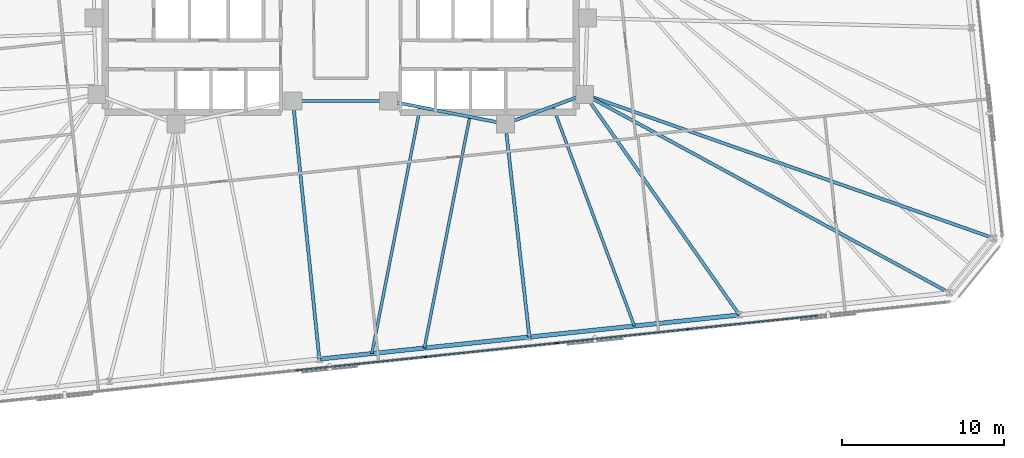
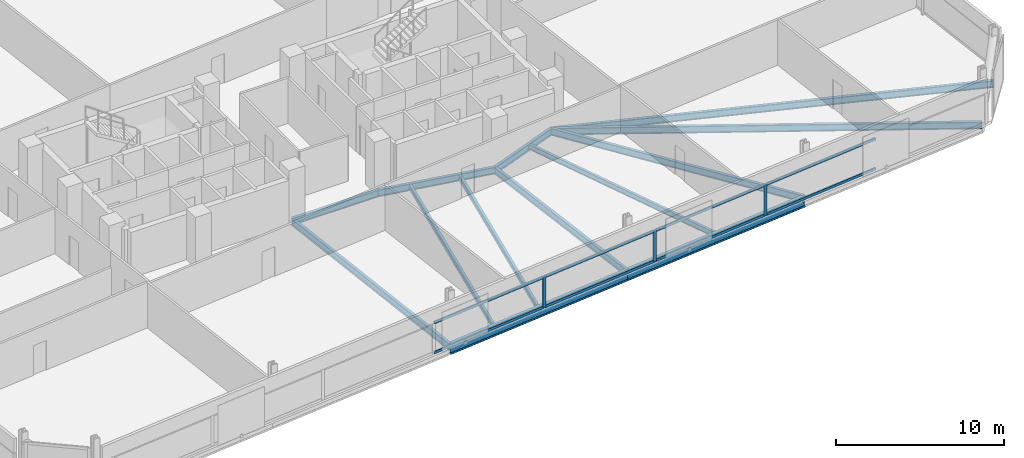
# One storey, part 7 of 18: 13 beams, 11 members, 1 element without a shape of its own.
"""IFC4 building model written with IfcOpenShell, lengths in metres."""

import ifcopenshell
import ifcopenshell.guid

model = None  # the IFC model being written
_history = None  # IfcOwnerHistory: only IFC2X3 demands one
_inside = {}  # id of a spatial element -> (the spatial element, [elements in it])
_under = {}  # id of a project, library or spatial element -> (it, [spatial elements below it])
_declared = {}  # id of a project -> (the project, [libraries it declares])
_typed = {}  # id of a type object -> (the type object, [elements of that type])
_made_of = {}  # id of a material, layer set ... -> (it, [elements and type objects made of it])


def new_model(schema):
    """Start an empty IFC model of exactly this schema.

    Asked for "IFC4X3", IfcOpenShell would pick the latest addendum, in which some entities
    have other attributes; the version numbers below select the first issue.
    IFC2X3 requires an IfcOwnerHistory on every rooted entity: one is made here for all.
    """
    global model, _history
    if schema == "IFC4X3":
        model = ifcopenshell.file(schema_version=(4, 3, 0, 0))
    else:
        model = ifcopenshell.file(schema=schema)
    _inside.clear()
    _under.clear()
    _declared.clear()
    _typed.clear()
    _made_of.clear()
    _history = None
    if model.schema == "IFC2X3":
        org = make("IfcOrganization", Name="unknown")
        user = make(
            "IfcPersonAndOrganization",
            ThePerson=make("IfcPerson", FamilyName="unknown"),
            TheOrganization=org,
        )
        app = make(
            "IfcApplication",
            ApplicationDeveloper=org,
            Version="unknown",
            ApplicationFullName="unknown",
            ApplicationIdentifier="unknown",
        )
        _history = make(
            "IfcOwnerHistory",
            OwningUser=user,
            OwningApplication=app,
            ChangeAction="ADDED",
            CreationDate=0,
        )
    return model


def make(cls, **values):
    """One entity of the class cls with the attributes given. An attribute that is None is left unset."""
    return model.create_entity(
        cls, **{name: value for name, value in values.items() if value is not None}
    )


def rooted(cls, **values):
    """An entity with a GlobalId (a new one), such as an element, a storey or a relation."""
    return make(cls, GlobalId=ifcopenshell.guid.new(), OwnerHistory=_history, **values)


def si_unit(unit_type, name, prefix=None):
    """IfcSIUnit, for example si_unit("LENGTHUNIT", "METRE", prefix="MILLI")."""
    return make("IfcSIUnit", UnitType=unit_type, Prefix=prefix, Name=name)


def assignment(units):
    """IfcUnitAssignment: the units of a project."""
    return None if units is None else make("IfcUnitAssignment", Units=units)


def point(xyz):
    """IfcCartesianPoint."""
    return None if xyz is None else make("IfcCartesianPoint", Coordinates=xyz)


def direction(xyz):
    """IfcDirection."""
    return None if xyz is None else make("IfcDirection", DirectionRatios=xyz)


def frame(location, z_axis=None, x_axis=None):
    """IfcAxis2Placement3D, a coordinate frame: its origin and axes. An axis left out is left unset."""
    return make(
        "IfcAxis2Placement3D",
        Location=point(location),
        Axis=direction(z_axis),
        RefDirection=direction(x_axis),
    )


def frame_2d(location, x_axis=None):
    """IfcAxis2Placement2D, a coordinate frame in the plane: its origin and x axis."""
    return make(
        "IfcAxis2Placement2D", Location=point(location), RefDirection=direction(x_axis)
    )


def origin():
    """The frame at (0, 0, 0) with its axes left unset."""
    return frame((0.0, 0.0, 0.0))


def origin_2d():
    """The frame at (0, 0) in the plane with its x axis left unset."""
    return frame_2d((0.0, 0.0))


def place(relative_to, where):
    """IfcLocalPlacement: puts the frame where relative to a parent placement (None: the world)."""
    return make(
        "IfcLocalPlacement", PlacementRelTo=relative_to, RelativePlacement=where
    )


def context(
    kind, dimensions, precision=None, world=None, true_north=None, identifier=None
):
    """IfcGeometricRepresentationContext, for example the 3D "Model" context."""
    return make(
        "IfcGeometricRepresentationContext",
        ContextIdentifier=identifier,
        ContextType=kind,
        CoordinateSpaceDimension=dimensions,
        Precision=precision,
        WorldCoordinateSystem=world,
        TrueNorth=true_north,
    )


def subcontext(parent, identifier, kind, view, scale=None):
    """IfcGeometricRepresentationSubContext, for example "Body" below "Model"."""
    return make(
        "IfcGeometricRepresentationSubContext",
        ContextIdentifier=identifier,
        ContextType=kind,
        ParentContext=parent,
        TargetScale=scale,
        TargetView=view,
    )


def project(units=None, contexts=None):
    """IfcProject with its units and contexts."""
    return rooted(
        "IfcProject",
        Name="project",
        RepresentationContexts=contexts,
        UnitsInContext=assignment(units),
    )


def spatial(cls, under=None, at=None, **own):
    """A site, building, storey or space (cls), placed at a placement, below another one or the project."""
    s = rooted(cls, ObjectPlacement=at, **own)
    if under is not None:
        _under.setdefault(under.id(), (under, []))[1].append(s)
    return s


def profile(cls, at=None, kind="AREA", **sizes):
    """A parametric profile (cls). Its sizes go by their IFC names, for example OverallWidth=200.0."""
    return make(cls, ProfileType=kind, Position=at, **sizes)


def rectangle(**sizes):
    """IfcRectangleProfileDef."""
    return profile("IfcRectangleProfileDef", **sizes)


def i_section(**sizes):
    """IfcIShapeProfileDef."""
    return profile("IfcIShapeProfileDef", **sizes)


def extrude(swept, where, along, depth):
    """IfcExtrudedAreaSolid: the profile swept, set in the frame where, extruded along a direction by depth."""
    return make(
        "IfcExtrudedAreaSolid",
        SweptArea=swept,
        Position=where,
        ExtrudedDirection=direction(along),
        Depth=depth,
    )


def shape(context_of_items, identifier, shape_type, items):
    """IfcShapeRepresentation: the items that make up one representation, for example the "Body"."""
    return make(
        "IfcShapeRepresentation",
        ContextOfItems=context_of_items,
        RepresentationIdentifier=identifier,
        RepresentationType=shape_type,
        Items=items,
    )


def material(Name=None, Category=None):
    """IfcMaterial."""
    return make("IfcMaterial", Name=Name, Category=Category)


def material_profile(
    of_material, cross_section, Name=None, Category=None, Priority=None
):
    """IfcMaterialProfile: a cross section and its material."""
    return make(
        "IfcMaterialProfile",
        Name=Name,
        Material=of_material,
        Profile=cross_section,
        Priority=Priority,
        Category=Category,
    )


def profile_set(profiles, Name=None, composite=None):
    """IfcMaterialProfileSet."""
    return make(
        "IfcMaterialProfileSet",
        Name=Name,
        MaterialProfiles=profiles,
        CompositeProfile=composite,
    )


def made_of(thing, what):
    """Note that an element or type object is made of a material, layer set ...; save() writes the relation."""
    if what is not None:
        _made_of.setdefault(what.id(), (what, []))[1].append(thing)
    return thing


def type_object(cls, material=None, **own):
    """A type object (cls), such as IfcWallType, which elements share."""
    return made_of(rooted(cls, **own), material)


def element(
    cls,
    number,
    at=None,
    inside=None,
    cuts=None,
    type_object=None,
    material=None,
    context=None,
    identifier="Body",
    shape_type=None,
    held_by="IfcProductDefinitionShape",
    body=None,
    shapes=None,
    **own,
):
    """One element of the class cls, such as IfcWall. Its Tag is "e" and its number.

    at: its placement. inside: the storey or other place that contains it. cuts: it is an
    opening in that element (IfcRelVoidsElement). A single representation is given by context,
    identifier, shape_type and body (its items); several are given by shapes. held_by: the class
    of the entity that holds the representations. save() writes the other relations.
    """
    e = rooted(cls, Tag="e%d" % number, ObjectPlacement=at, **own)
    if body is not None:
        shapes = [shape(context, identifier, shape_type, body)]
    if shapes is not None:
        e.Representation = make(held_by, Representations=shapes)
    if inside is not None:
        _inside.setdefault(inside.id(), (inside, []))[1].append(e)
    if cuts is not None:
        rooted(
            "IfcRelVoidsElement", RelatingBuildingElement=cuts, RelatedOpeningElement=e
        )
    if type_object is not None:
        _typed.setdefault(type_object.id(), (type_object, []))[1].append(e)
    return made_of(e, material)


def aggregate(whole, parts):
    """IfcRelAggregates: a whole, such as a stair, and the parts it consists of."""
    return rooted("IfcRelAggregates", RelatingObject=whole, RelatedObjects=parts)


def save(model, path):
    """Write the relations noted so far, then the file.

    IfcRelAggregates (storeys below a building ...), IfcRelContainedInSpatialStructure (elements
    in a storey), IfcRelDefinesByType, IfcRelAssociatesMaterial and IfcRelDeclares: one each for
    every whole, place, type object, material and project.
    """
    for whole, parts in _under.values():
        aggregate(whole, parts)
    for where, things in _inside.values():
        rooted(
            "IfcRelContainedInSpatialStructure",
            RelatedElements=things,
            RelatingStructure=where,
        )
    for kind, things in _typed.values():
        rooted("IfcRelDefinesByType", RelatedObjects=things, RelatingType=kind)
    for what, things in _made_of.values():
        rooted("IfcRelAssociatesMaterial", RelatedObjects=things, RelatingMaterial=what)
    for by, libraries in _declared.values():
        rooted("IfcRelDeclares", RelatingContext=by, RelatedDefinitions=libraries)
    model.write(path)


model = new_model("IFC4")

# Units and contexts
model_context = context("Model", 3, precision=1e-05, world=origin(), true_north=direction((0.0, 1.0)))
body_context = subcontext(model_context, "Body", "Model", "MODEL_VIEW")
ifc_project = project(units=[si_unit("LENGTHUNIT", "METRE"), si_unit("AREAUNIT", "SQUARE_METRE"), si_unit("VOLUMEUNIT", "CUBIC_METRE"), si_unit("PLANEANGLEUNIT", "RADIAN"), si_unit("MASSUNIT", "GRAM", prefix="KILO")], contexts=[model_context])

# Site, building, storey
site_placement = place(None, origin())
site = spatial("IfcSite", under=ifc_project, at=site_placement, CompositionType="ELEMENT")
building_placement = place(site_placement, origin())
building = spatial("IfcBuilding", under=site, at=building_placement, Name="Menara Jurai Vektor", CompositionType="ELEMENT")
storey_placement = place(building_placement, frame((0.0, 0.0, 139.199951171875)))
storey = spatial("IfcBuildingStorey", under=building, at=storey_placement, Name="L35", CompositionType="ELEMENT", Elevation=139.199951171875)

# Curtain wall, members
ifc_material_1 = material(Name="Anodised Pale Aluminium & Low-E Double Glazing", Category="aluminium")
curtain_wall_type = type_object("IfcCurtainWallType", Name="CW-BLK2", PredefinedType="NOTDEFINED", material=ifc_material_1)
curtain_wall_placement = place(storey_placement, origin())
curtain_wall = element("IfcCurtainWall", 1, at=curtain_wall_placement, inside=storey, type_object=curtain_wall_type, Name="Unitised Curtain Wall L35 F01", PredefinedType="NOTDEFINED")
ifc_material_2 = material(Name="Anodised Pale Aluminium Mullion", Category="aluminium")
ifc_material_profile_1 = material_profile(ifc_material_2, rectangle(XDim=0.090087890625, YDim=0.219970703125, at=origin_2d()), Name="ALU MUL 90x220")
ifc_profile_set_1 = profile_set([ifc_material_profile_1], Name="Anodised Pale Aluminium Mullion")
member_type_1 = type_object("IfcMemberType", Name="CW-BLK2-MUL", PredefinedType="MULLION", material=ifc_profile_set_1)
member_1_placement = place(storey_placement, frame((5.230224609375, -20.72265625, 0.0), z_axis=(0.0, 0.0, 1.0), x_axis=(-0.104528634935, 0.994521877325, 0.0)))
member_1 = element("IfcMember", 2, at=member_1_placement, type_object=member_type_1, Name="CW-02 mullion 5", PredefinedType="MULLION", context=body_context, shape_type="SweptSolid", body=[
    extrude(rectangle(XDim=0.090087890625, YDim=0.219970703125, at=origin_2d()), origin(), (0.0, 0.0, 1.0), 2.259033203125),
])
member_2_placement = place(storey_placement, frame((13.328125, -19.87158203125, 0.0), z_axis=(0.0, 0.0, 1.0), x_axis=(-0.104528634935, 0.994521877325, 0.0)))
member_2 = element("IfcMember", 3, at=member_2_placement, type_object=member_type_1, Name="CW-02 mullion 6", PredefinedType="MULLION", context=body_context, shape_type="SweptSolid", body=[
    extrude(rectangle(XDim=0.090087890625, YDim=0.219970703125, at=origin_2d()), origin(), (0.0, 0.0, 1.0), 2.259033203125),
])
member_3_placement = place(storey_placement, frame((21.426025390625, -19.020263671875, 0.0), z_axis=(0.0, 0.0, 1.0), x_axis=(-0.104528634935, 0.994521877325, 0.0)))
member_3 = element("IfcMember", 4, at=member_3_placement, type_object=member_type_1, Name="CW-02 mullion 7", PredefinedType="MULLION", context=body_context, shape_type="SweptSolid", body=[
    extrude(rectangle(XDim=0.090087890625, YDim=0.219970703125, at=origin_2d()), origin(), (0.0, 0.0, 1.0), 2.259033203125),
])
ifc_material_3 = material(Name="Anodised Pale Aluminium Transom", Category="aluminium")
ifc_material_profile_2 = material_profile(ifc_material_3, rectangle(XDim=0.090087890625, YDim=0.18505859375, at=origin_2d()), Name="ALU TRN 90x185")
ifc_profile_set_2 = profile_set([ifc_material_profile_2], Name="Anodised Pale Aluminium Transom")
member_type_2 = type_object("IfcMemberType", Name="CW-BLK2-TRN", PredefinedType="USERDEFINED", material=ifc_profile_set_2)
member_4_placement = place(storey_placement, frame((-2.82275390625, -21.569091796875, 0.045166015625), z_axis=(0.994520726373, 0.10453958492, 0.0), x_axis=(-0.10453958492, 0.994520726373, 0.0)))
member_4 = element("IfcMember", 5, at=member_4_placement, type_object=member_type_2, Name="CW-02 transom 4.1", ObjectType="TRANSOM", PredefinedType="USERDEFINED", context=body_context, shape_type="SweptSolid", body=[
    extrude(rectangle(XDim=0.090087890625, YDim=0.18505859375, at=origin_2d()), origin(), (0.0, 0.0, 1.0), 8.052490234375),
])
member_5_placement = place(storey_placement, frame((-2.82275390625, -21.569091796875, 2.214111328125), z_axis=(0.994520726373, 0.10453958492, 0.0), x_axis=(-0.10453958492, 0.994520726373, 0.0)))
member_5 = element("IfcMember", 6, at=member_5_placement, type_object=member_type_2, Name="CW-02 transom 4.2", ObjectType="TRANSOM", PredefinedType="USERDEFINED", context=body_context, shape_type="SweptSolid", body=[
    extrude(rectangle(XDim=0.090087890625, YDim=0.18505859375, at=origin_2d()), origin(), (0.0, 0.0, 1.0), 8.052490234375),
])
member_6_placement = place(storey_placement, frame((5.275146484375, -20.718017578125, 0.045166015625), z_axis=(0.994520726373, 0.10453958492, 0.0), x_axis=(-0.10453958492, 0.994520726373, 0.0)))
member_6 = element("IfcMember", 7, at=member_6_placement, type_object=member_type_2, Name="CW-02 transom 5.1", ObjectType="TRANSOM", PredefinedType="USERDEFINED", context=body_context, shape_type="SweptSolid", body=[
    extrude(rectangle(XDim=0.090087890625, YDim=0.18505859375, at=origin_2d()), origin(), (0.0, 0.0, 1.0), 8.052490234375),
])
member_7_placement = place(storey_placement, frame((5.275146484375, -20.718017578125, 2.214111328125), z_axis=(0.994520726373, 0.10453958492, 0.0), x_axis=(-0.10453958492, 0.994520726373, 0.0)))
member_7 = element("IfcMember", 8, at=member_7_placement, type_object=member_type_2, Name="CW-02 transom 5.2", ObjectType="TRANSOM", PredefinedType="USERDEFINED", context=body_context, shape_type="SweptSolid", body=[
    extrude(rectangle(XDim=0.090087890625, YDim=0.18505859375, at=origin_2d()), origin(), (0.0, 0.0, 1.0), 8.052490234375),
])
member_8_placement = place(storey_placement, frame((13.373046875, -19.86669921875, 0.045166015625), z_axis=(0.99452387809, 0.104509597213, 0.0), x_axis=(-0.104509597213, 0.99452387809, 0.0)))
member_8 = element("IfcMember", 9, at=member_8_placement, type_object=member_type_2, Name="CW-02 transom 6.1", ObjectType="TRANSOM", PredefinedType="USERDEFINED", context=body_context, shape_type="SweptSolid", body=[
    extrude(rectangle(XDim=0.090087890625, YDim=0.18505859375, at=origin_2d()), origin(), (0.0, 0.0, 1.0), 8.052490234375),
])
member_9_placement = place(storey_placement, frame((13.373046875, -19.86669921875, 2.214111328125), z_axis=(0.99452387809, 0.104509597213, 0.0), x_axis=(-0.104509597213, 0.99452387809, 0.0)))
member_9 = element("IfcMember", 10, at=member_9_placement, type_object=member_type_2, Name="CW-02 transom 6.2", ObjectType="TRANSOM", PredefinedType="USERDEFINED", context=body_context, shape_type="SweptSolid", body=[
    extrude(rectangle(XDim=0.090087890625, YDim=0.18505859375, at=origin_2d()), origin(), (0.0, 0.0, 1.0), 8.052490234375),
])
member_10_placement = place(storey_placement, frame((21.470947265625, -19.015625, 0.045166015625), z_axis=(0.994520726373, 0.10453958492, 0.0), x_axis=(-0.10453958492, 0.994520726373, 0.0)))
member_10 = element("IfcMember", 11, at=member_10_placement, type_object=member_type_2, Name="CW-02 transom 7.1", ObjectType="TRANSOM", PredefinedType="USERDEFINED", context=body_context, shape_type="SweptSolid", body=[
    extrude(rectangle(XDim=0.090087890625, YDim=0.18505859375, at=origin_2d()), origin(), (0.0, 0.0, 1.0), 8.052490234375),
])
member_11_placement = place(storey_placement, frame((21.470947265625, -19.015625, 2.214111328125), z_axis=(0.994520726373, 0.10453958492, 0.0), x_axis=(-0.10453958492, 0.994520726373, 0.0)))
member_11 = element("IfcMember", 12, at=member_11_placement, type_object=member_type_2, Name="CW-02 transom 7.2", ObjectType="TRANSOM", PredefinedType="USERDEFINED", context=body_context, shape_type="SweptSolid", body=[
    extrude(rectangle(XDim=0.090087890625, YDim=0.18505859375, at=origin_2d()), origin(), (0.0, 0.0, 1.0), 8.052490234375),
])
aggregate(curtain_wall, [member_1, member_2, member_3, member_4, member_5, member_6, member_7, member_8, member_9, member_10, member_11])

# Beams
ifc_material_4 = material(Name="Steel S355", Category="steel")
ifc_material_profile_3 = material_profile(ifc_material_4, i_section(OverallWidth=0.199951171875, OverallDepth=0.5, WebThickness=0.011962890625, FlangeThickness=0.02001953125, at=origin_2d()), Name="PG 500x200x96")
ifc_profile_set_3 = profile_set([ifc_material_profile_3], Name="Steel S355")
beam_type_1 = type_object("IfcBeamType", Name="STR-BM-500", PredefinedType="BEAM", material=ifc_profile_set_3)
beam_1_placement = place(storey_placement, frame((10.179931640625, -6.320068359375, -0.474853515625), z_axis=(0.937424400887, 0.348188874925, 0.0), x_axis=(-0.348188874925, 0.937424400887, 0.0)))
element("IfcBeam", 13, at=beam_1_placement, inside=storey, type_object=beam_type_1, Name="Core Ring Header Girder L35-CHE-S1", PredefinedType="BEAM", context=body_context, shape_type="SweptSolid", body=[
    extrude(i_section(OverallWidth=0.199951171875, OverallDepth=0.5, WebThickness=0.011962890625, FlangeThickness=0.02001953125, at=origin_2d()), origin(), (0.0, 0.0, 1.0), 5.227294921875),
])
beam_2_placement = place(storey_placement, frame((2.949951171875, -4.89990234375, -0.474853515625), z_axis=(0.981249044334, -0.192744164614, 0.0), x_axis=(0.192744164614, 0.981249044334, 0.0)))
element("IfcBeam", 14, at=beam_2_placement, inside=storey, type_object=beam_type_1, Name="Core Ring Header Girder L35-CHE-S2", PredefinedType="BEAM", context=body_context, shape_type="SweptSolid", body=[
    extrude(i_section(OverallWidth=0.199951171875, OverallDepth=0.5, WebThickness=0.011962890625, FlangeThickness=0.02001953125, at=origin_2d()), origin(), (0.0, 0.0, 1.0), 7.3681640625),
])
beam_3_placement = place(storey_placement, frame((-2.949951171875, -4.89990234375, -0.474853515625), z_axis=(1.0, 0.0, 0.0), x_axis=(0.0, 1.0, 0.0)))
element("IfcBeam", 15, at=beam_3_placement, inside=storey, type_object=beam_type_1, Name="Core Ring Header Girder L35-CC-1", PredefinedType="BEAM", context=body_context, shape_type="SweptSolid", body=[
    extrude(i_section(OverallWidth=0.199951171875, OverallDepth=0.5, WebThickness=0.011962890625, FlangeThickness=0.02001953125, at=origin_2d()), origin(), (0.0, 0.0, 1.0), 5.89990234375),
])
beam_4_placement = place(storey_placement, frame((-1.31689453125, -20.85791015625, -0.474853515625), z_axis=(-0.101802947506, 0.994804583765, 0.0), x_axis=(-0.994804583765, -0.101802947506, 0.0)))
element("IfcBeam", 16, at=beam_4_placement, inside=storey, type_object=beam_type_1, Name="Radial Floor Girder L35-S3", PredefinedType="BEAM", context=body_context, shape_type="SweptSolid", body=[
    extrude(i_section(OverallWidth=0.199951171875, OverallDepth=0.5, WebThickness=0.011962890625, FlangeThickness=0.02001953125, at=origin_2d()), origin(), (0.0, 0.0, 1.0), 16.041259765625),
])
beam_5_placement = place(storey_placement, frame((11.66259765625, -19.493408203125, -0.474853515625), z_axis=(-0.111844331087, 0.99372573963, 0.0), x_axis=(-0.99372573963, -0.111844331087, 0.0)))
element("IfcBeam", 17, at=beam_5_placement, inside=storey, type_object=beam_type_1, Name="Radial Floor Girder L35-S4", PredefinedType="BEAM", context=body_context, shape_type="SweptSolid", body=[
    extrude(i_section(OverallWidth=0.199951171875, OverallDepth=0.5, WebThickness=0.011962890625, FlangeThickness=0.02001953125, at=origin_2d()), origin(), (0.0, 0.0, 1.0), 13.256591796875),
])
beam_6_placement = place(storey_placement, frame((24.64208984375, -18.12939453125, -0.474853515625), z_axis=(-0.574326112611, 0.818626603754, 0.0), x_axis=(-0.818626603754, -0.574326112611, 0.0)))
element("IfcBeam", 18, at=beam_6_placement, inside=storey, type_object=beam_type_1, Name="Radial Floor Girder L35-S5", PredefinedType="BEAM", context=body_context, shape_type="SweptSolid", body=[
    extrude(i_section(OverallWidth=0.199951171875, OverallDepth=0.5, WebThickness=0.011962890625, FlangeThickness=0.02001953125, at=origin_2d()), origin(), (0.0, 0.0, 1.0), 16.649169921875),
])
beam_7_placement = place(storey_placement, frame((37.621826171875, -16.76513671875, -0.474853515625), z_axis=(-0.878392468416, 0.477940029115, 0.0), x_axis=(-0.477940029115, -0.878392468416, 0.0)))
element("IfcBeam", 19, at=beam_7_placement, inside=storey, type_object=beam_type_1, Name="Radial Floor Girder L35-S6", PredefinedType="BEAM", context=body_context, shape_type="SweptSolid", body=[
    extrude(i_section(OverallWidth=0.199951171875, OverallDepth=0.5, WebThickness=0.011962890625, FlangeThickness=0.02001953125, at=origin_2d()), origin(), (0.0, 0.0, 1.0), 25.66259765625),
])
beam_8_placement = place(storey_placement, frame((40.356201171875, -13.388671875, -0.474853515625), z_axis=(-0.943368219745, 0.331747497315, 0.0), x_axis=(-0.331747497315, -0.943368219745, 0.0)))
element("IfcBeam", 20, at=beam_8_placement, inside=storey, type_object=beam_type_1, Name="Radial Floor Girder L35-E1", PredefinedType="BEAM", context=body_context, shape_type="SweptSolid", body=[
    extrude(i_section(OverallWidth=0.199951171875, OverallDepth=0.5, WebThickness=0.011962890625, FlangeThickness=0.02001953125, at=origin_2d()), origin(), (0.0, 0.0, 1.0), 26.79345703125),
])
ifc_material_profile_4 = material_profile(ifc_material_4, i_section(OverallWidth=0.175048828125, OverallDepth=0.3798828125, WebThickness=0.010009765625, FlangeThickness=0.014892578125, at=origin_2d()), Name="PG 380x175x58")
ifc_profile_set_4 = profile_set([ifc_material_profile_4], Name="Steel S355")
beam_type_2 = type_object("IfcBeamType", Name="STR-JS-380", PredefinedType="JOIST", material=ifc_profile_set_4)
beam_9_placement = place(storey_placement, frame((1.927978515625, -20.5166015625, -0.4150390625), z_axis=(0.192720963177, 0.981253601447, 0.0), x_axis=(-0.981253601447, 0.192720963177, 0.0)))
element("IfcBeam", 21, at=beam_9_placement, inside=storey, type_object=beam_type_2, Name="Radial Secondary Floor Joist L35-JS06", PredefinedType="JOIST", context=body_context, shape_type="SweptSolid", body=[
    extrude(i_section(OverallWidth=0.175048828125, OverallDepth=0.3798828125, WebThickness=0.010009765625, FlangeThickness=0.014892578125, at=origin_2d()), origin(), (0.0, 0.0, 1.0), 15.52099609375),
])
beam_10_placement = place(storey_placement, frame((5.1728515625, -20.175537109375, -0.4150390625), z_axis=(0.192719646422, 0.98125386006, 0.0), x_axis=(-0.98125386006, 0.192719646422, 0.0)))
element("IfcBeam", 22, at=beam_10_placement, inside=storey, type_object=beam_type_2, Name="Radial Secondary Floor Joist L35-JS07", PredefinedType="JOIST", context=body_context, shape_type="SweptSolid", body=[
    extrude(i_section(OverallWidth=0.175048828125, OverallDepth=0.3798828125, WebThickness=0.010009765625, FlangeThickness=0.014892578125, at=origin_2d()), origin(), (0.0, 0.0, 1.0), 14.560791015625),
])
beam_11_placement = place(storey_placement, frame((18.15234375, -18.811279296875, -0.4150390625), z_axis=(-0.348188645432, 0.937424486128, 0.0), x_axis=(-0.937424486128, -0.348188645432, 0.0)))
element("IfcBeam", 23, at=beam_11_placement, inside=storey, type_object=beam_type_2, Name="Radial Secondary Floor Joist L35-JS08", PredefinedType="JOIST", context=body_context, shape_type="SweptSolid", body=[
    extrude(i_section(OverallWidth=0.175048828125, OverallDepth=0.3798828125, WebThickness=0.010009765625, FlangeThickness=0.014892578125, at=origin_2d()), origin(), (0.0, 0.0, 1.0), 14.485595703125),
])
ifc_material_5 = material(Name="Steel S460", Category="steel")
ifc_material_profile_5 = material_profile(ifc_material_5, i_section(OverallWidth=0.26806640625, OverallDepth=0.77001953125, WebThickness=0.01611328125, FlangeThickness=0.02490234375, FilletRadius=0.01708984375, at=origin_2d()), Name="UKB 762x267x197")
ifc_profile_set_5 = profile_set([ifc_material_profile_5], Name="Steel S460")
beam_type_3 = type_object("IfcBeamType", Name="STR-SP-762", PredefinedType="SPANDREL", material=ifc_profile_set_5)
for number, where, z_axis, x_axis, name in (
    (24, (-1.31689453125, -20.85791015625, -0.60986328125), (0.994519486762, 0.104551377088, 0.0), (-0.104551377088, 0.994519486762, 0.0), "Exoskeleton Spandrel Beam L35-03"),
    (25, (11.66259765625, -19.493408203125, -0.60986328125), (0.99452337626, 0.104514372567, 0.0), (-0.104514372567, 0.99452337626, 0.0), "Exoskeleton Spandrel Beam L35-04"),
):
    element("IfcBeam", number, at=place(storey_placement, frame(where, z_axis=z_axis, x_axis=x_axis)), inside=storey, type_object=beam_type_3, Name=name, PredefinedType="SPANDREL", context=body_context, shape_type="SweptSolid", body=[
        extrude(i_section(OverallWidth=0.26806640625, OverallDepth=0.77001953125, WebThickness=0.01611328125, FlangeThickness=0.02490234375, FilletRadius=0.01708984375, at=origin_2d()), origin(), (0.0, 0.0, 1.0), 13.051025390625),
    ])

save(model, "model.ifc")
